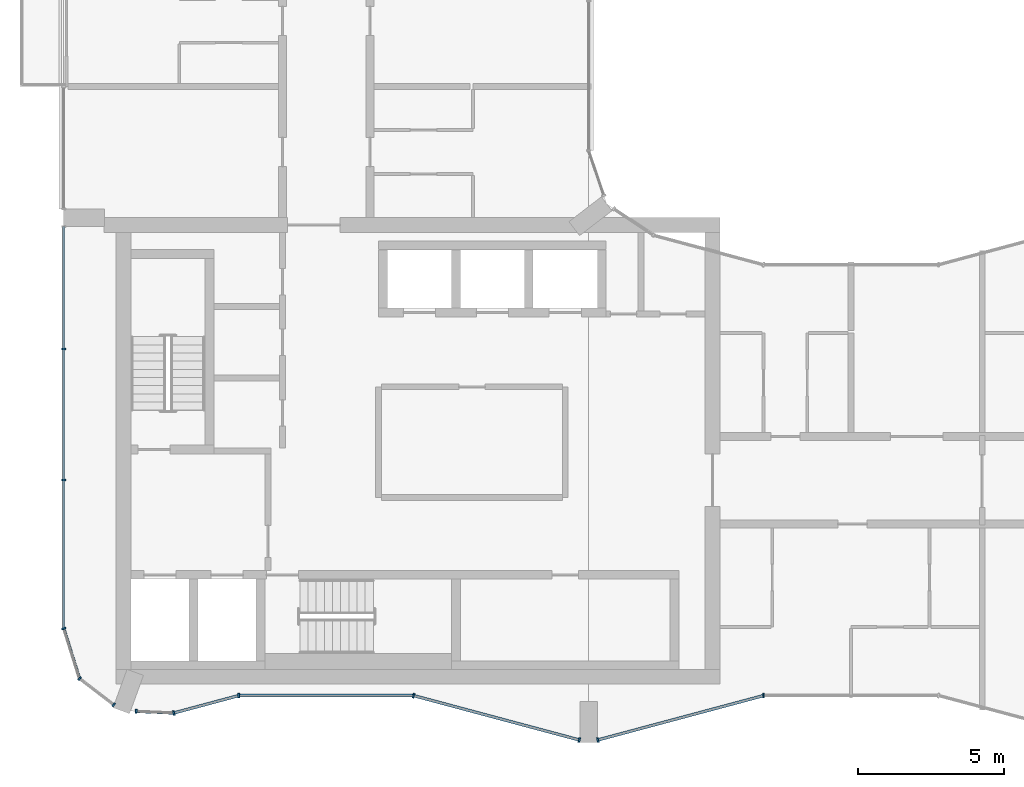
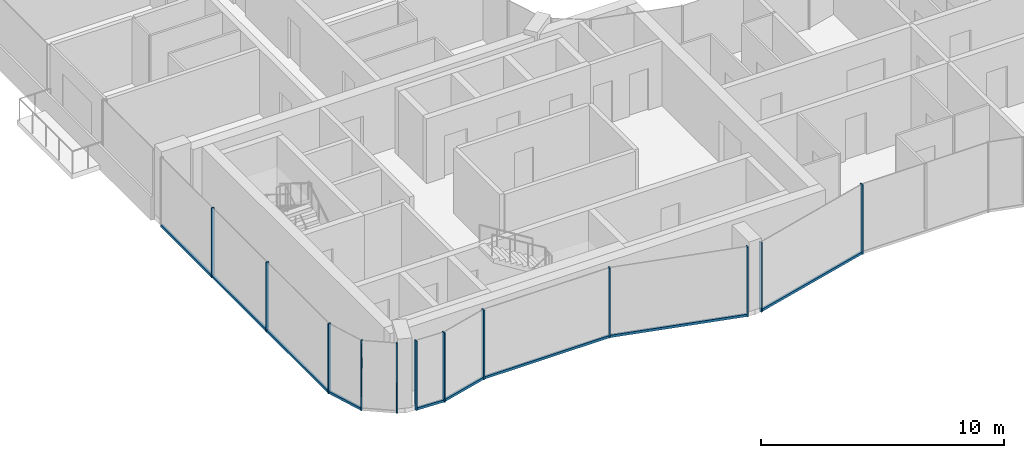
# One storey, part 2 of 16: 19 members, 9 elements without a shape of their own.
"""IFC4 building model written with IfcOpenShell, lengths in metres."""

from ifc_helpers import new_model, si_unit, direction, frame, origin, origin_2d, place, context, subcontext, project, spatial, rectangle, extrude, material, layer, layer_set, material_profile, profile_set, type_object, element, aggregate, save


model = new_model("IFC4")

# Units and contexts
model_context = context("Model", 3, precision=1e-05, world=origin(), true_north=direction((0.0, 1.0)))
body_context = subcontext(model_context, "Body", "Model", "MODEL_VIEW")
ifc_project = project(units=[si_unit("LENGTHUNIT", "METRE"), si_unit("AREAUNIT", "SQUARE_METRE"), si_unit("VOLUMEUNIT", "CUBIC_METRE"), si_unit("PLANEANGLEUNIT", "RADIAN"), si_unit("MASSUNIT", "GRAM", prefix="KILO")], contexts=[model_context])

# Site, building, storey
site_placement = place(None, origin())
site = spatial("IfcSite", under=ifc_project, at=site_placement, CompositionType="ELEMENT")
building_placement = place(site_placement, origin())
building = spatial("IfcBuilding", under=site, at=building_placement, Name="Plateau Cross Towers", CompositionType="ELEMENT")
storey_placement = place(building_placement, frame((0.0, 0.0, 218.89990234375)))
storey = spatial("IfcBuildingStorey", under=building, at=storey_placement, Name="L57", CompositionType="ELEMENT", Elevation=218.89990234375)

# Curtain wall, members
ifc_material_1 = material(Name="Dark low-iron glass", Category="glass")
ifc_layer_1 = layer(ifc_material_1, 0.239990234375)
ifc_layer_set_1 = layer_set([ifc_layer_1], Name="Dark low-iron glass")
curtain_wall_type_1 = type_object("IfcCurtainWallType", Name="Curtain wall flush unitised CW-B", PredefinedType="NOTDEFINED", material=ifc_layer_set_1)
curtain_wall_1_placement = place(storey_placement, origin())
curtain_wall_1 = element("IfcCurtainWall", 1, at=curtain_wall_1_placement, inside=storey, type_object=curtain_wall_type_1, Name="ENV/A/L57/A0_177", PredefinedType="NOTDEFINED")
ifc_material_2 = material(Name="Black anodised aluminium", Category="aluminium")
ifc_material_profile_1 = material_profile(ifc_material_2, rectangle(XDim=0.06005859375, YDim=0.139892578125, at=origin_2d()), Name="MULLION 60x140")
ifc_profile_set_1 = profile_set([ifc_material_profile_1], Name="Black anodised aluminium")
member_type_1 = type_object("IfcMemberType", Name="Mullion 60x140 flush unitised", PredefinedType="MULLION", material=ifc_profile_set_1)
member_1_placement = place(storey_placement, frame((0.0, 13.5, -0.25), z_axis=(0.0, 0.0, 1.0), x_axis=(0.0, -1.0, 0.0)))
member_1 = element("IfcMember", 2, at=member_1_placement, type_object=member_type_1, Name="CW-B mullion 2", PredefinedType="MULLION", context=body_context, shape_type="SweptSolid", body=[
    extrude(rectangle(XDim=0.06005859375, YDim=0.139892578125, at=origin_2d()), origin(), (0.0, 0.0, 1.0), 3.5),
])
member_2_placement = place(storey_placement, frame((0.0, 9.0, -0.25), z_axis=(0.0, 0.0, 1.0), x_axis=(0.0, -1.0, 0.0)))
member_2 = element("IfcMember", 3, at=member_2_placement, type_object=member_type_1, Name="CW-B mullion 3", PredefinedType="MULLION", context=body_context, shape_type="SweptSolid", body=[
    extrude(rectangle(XDim=0.06005859375, YDim=0.139892578125, at=origin_2d()), origin(), (0.0, 0.0, 1.0), 3.5),
])

# Curtain wall, member
curtain_wall_2_placement = place(storey_placement, origin())
curtain_wall_2 = element("IfcCurtainWall", 4, at=curtain_wall_2_placement, inside=storey, type_object=curtain_wall_type_1, Name="ENV/A/L57/A0_39", PredefinedType="NOTDEFINED")
member_3_placement = place(storey_placement, frame((0.0, 3.9091796875, -0.25), z_axis=(0.0, 0.0, 1.0), x_axis=(0.300686174994, -0.95372313811, 0.0)))
member_3 = element("IfcMember", 5, at=member_3_placement, type_object=member_type_1, Name="CW-B mullion 1", PredefinedType="MULLION", context=body_context, shape_type="SweptSolid", body=[
    extrude(rectangle(XDim=0.06005859375, YDim=0.139892578125, at=origin_2d()), origin(), (0.0, 0.0, 1.0), 3.5),
])

# Curtain wall, members
curtain_wall_3_placement = place(storey_placement, origin())
curtain_wall_3 = element("IfcCurtainWall", 6, at=curtain_wall_3_placement, inside=storey, type_object=curtain_wall_type_1, Name="ENV/A/L57/A5_22", PredefinedType="NOTDEFINED")
member_4_placement = place(storey_placement, frame((0.54248046875, 2.1884765625, -0.25), z_axis=(0.0, 0.0, 1.0), x_axis=(0.793315514529, -0.608810721331, 0.0)))
member_4 = element("IfcMember", 7, at=member_4_placement, type_object=member_type_1, Name="CW-B mullion 1", PredefinedType="MULLION", context=body_context, shape_type="SweptSolid", body=[
    extrude(rectangle(XDim=0.06005859375, YDim=0.139892578125, at=origin_2d()), origin(), (0.0, 0.0, 1.0), 3.5),
])
member_5_placement = place(storey_placement, frame((1.709716796875, 1.292724609375, -0.25), z_axis=(0.0, 0.0, 1.0), x_axis=(0.793315514529, -0.608810721331, 0.0)))
member_5 = element("IfcMember", 8, at=member_5_placement, type_object=member_type_1, Name="CW-B mullion 2", PredefinedType="MULLION", context=body_context, shape_type="SweptSolid", body=[
    extrude(rectangle(XDim=0.06005859375, YDim=0.139892578125, at=origin_2d()), origin(), (0.0, 0.0, 1.0), 3.5),
])
aggregate(curtain_wall_3, [member_4, member_5])

# Curtain wall, member
curtain_wall_4_placement = place(storey_placement, origin())
curtain_wall_4 = element("IfcCurtainWall", 9, at=curtain_wall_4_placement, inside=storey, type_object=curtain_wall_type_1, Name="ENV/A/L57/A25_11", PredefinedType="NOTDEFINED")
member_6_placement = place(storey_placement, frame((2.483642578125, 1.06787109375, -0.25), z_axis=(0.0, 0.0, 1.0), x_axis=(0.999043701491, -0.043722791671, 0.0)))
member_6 = element("IfcMember", 10, at=member_6_placement, type_object=member_type_1, Name="CW-B mullion 1", PredefinedType="MULLION", context=body_context, shape_type="SweptSolid", body=[
    extrude(rectangle(XDim=0.06005859375, YDim=0.139892578125, at=origin_2d()), origin(), (0.0, 0.0, 1.0), 3.5),
])

ifc_layer_2 = layer(ifc_material_1, 0.260009765625)
ifc_layer_set_2 = layer_set([ifc_layer_2], Name="Dark low-iron glass")
curtain_wall_type_2 = type_object("IfcCurtainWallType", Name="Curtain wall fluted unitised CW-A", PredefinedType="NOTDEFINED", material=ifc_layer_set_2)
curtain_wall_5_placement = place(storey_placement, origin())
curtain_wall_5 = element("IfcCurtainWall", 11, at=curtain_wall_5_placement, inside=storey, type_object=curtain_wall_type_2, Name="ENV/A/L57/A38_10", PredefinedType="NOTDEFINED")
ifc_material_profile_2 = material_profile(ifc_material_2, rectangle(XDim=0.06005859375, YDim=0.159912109375, at=origin_2d()), Name="MULLION 60x160")
ifc_profile_set_2 = profile_set([ifc_material_profile_2], Name="Black anodised aluminium")
member_type_2 = type_object("IfcMemberType", Name="Mullion 60x160 fluted unitised", PredefinedType="MULLION", material=ifc_profile_set_2)
member_7_placement = place(storey_placement, frame((3.776123046875, 1.01123046875, -0.25), z_axis=(0.0, 0.0, 1.0), x_axis=(0.965957962328, 0.258699081978, 0.0)))
member_7 = element("IfcMember", 12, at=member_7_placement, type_object=member_type_2, Name="CW-A mullion 1", PredefinedType="MULLION", context=body_context, shape_type="SweptSolid", body=[
    extrude(rectangle(XDim=0.06005859375, YDim=0.159912109375, at=origin_2d()), origin(), (0.0, 0.0, 1.0), 3.5),
])

curtain_wall_6_placement = place(storey_placement, origin())
curtain_wall_6 = element("IfcCurtainWall", 13, at=curtain_wall_6_placement, inside=storey, type_object=curtain_wall_type_2, Name="ENV/A/L57/A60_16", PredefinedType="NOTDEFINED")
member_8_placement = place(storey_placement, frame((6.0, 1.60693359375, -0.25), z_axis=(0.0, 0.0, 1.0), x_axis=(1.0, 0.0, 0.0)))
member_8 = element("IfcMember", 14, at=member_8_placement, type_object=member_type_2, Name="CW-A mullion 1", PredefinedType="MULLION", context=body_context, shape_type="SweptSolid", body=[
    extrude(rectangle(XDim=0.06005859375, YDim=0.159912109375, at=origin_2d()), origin(), (0.0, 0.0, 1.0), 3.5),
])

# Curtain wall, members
curtain_wall_7_placement = place(storey_placement, origin())
curtain_wall_7 = element("IfcCurtainWall", 15, at=curtain_wall_7_placement, inside=storey, type_object=curtain_wall_type_2, Name="ENV/A/L57/A120_16", PredefinedType="NOTDEFINED")
member_9_placement = place(storey_placement, frame((12.0, 1.60693359375, -0.25), z_axis=(0.0, 0.0, 1.0), x_axis=(0.965957983404, -0.258699003279, 0.0)))
member_9 = element("IfcMember", 16, at=member_9_placement, type_object=member_type_2, Name="CW-A mullion 1", PredefinedType="MULLION", context=body_context, shape_type="SweptSolid", body=[
    extrude(rectangle(XDim=0.06005859375, YDim=0.159912109375, at=origin_2d()), origin(), (0.0, 0.0, 1.0), 3.5),
])
member_10_placement = place(storey_placement, frame((17.68212890625, 0.085205078125, -0.25), z_axis=(0.0, 0.0, 1.0), x_axis=(0.965957983404, -0.258699003279, 0.0)))
member_10 = element("IfcMember", 17, at=member_10_placement, type_object=member_type_2, Name="CW-A mullion 2", PredefinedType="MULLION", context=body_context, shape_type="SweptSolid", body=[
    extrude(rectangle(XDim=0.06005859375, YDim=0.159912109375, at=origin_2d()), origin(), (0.0, 0.0, 1.0), 3.5),
])

# Curtain wall, member
curtain_wall_8_placement = place(storey_placement, origin())
curtain_wall_8 = element("IfcCurtainWall", 18, at=curtain_wall_8_placement, inside=storey, type_object=curtain_wall_type_2, Name="ENV/A/L57/A183_1", PredefinedType="NOTDEFINED")
member_11_placement = place(storey_placement, frame((18.31787109375, 0.085205078125, -0.25), z_axis=(0.0, 0.0, 1.0), x_axis=(0.965957983404, 0.258699003279, 0.0)))
member_11 = element("IfcMember", 19, at=member_11_placement, type_object=member_type_2, Name="CW-A mullion 1", PredefinedType="MULLION", context=body_context, shape_type="SweptSolid", body=[
    extrude(rectangle(XDim=0.06005859375, YDim=0.159912109375, at=origin_2d()), origin(), (0.0, 0.0, 1.0), 3.5),
])

curtain_wall_9_placement = place(storey_placement, origin())
curtain_wall_9 = element("IfcCurtainWall", 20, at=curtain_wall_9_placement, inside=storey, type_object=curtain_wall_type_2, Name="ENV/A/L57/A240_16", PredefinedType="NOTDEFINED")
member_12_placement = place(storey_placement, frame((24.0, 1.60693359375, -0.25), z_axis=(0.0, 0.0, 1.0), x_axis=(1.0, 0.0, 0.0)))
member_12 = element("IfcMember", 21, at=member_12_placement, type_object=member_type_2, Name="CW-A mullion 1", PredefinedType="MULLION", context=body_context, shape_type="SweptSolid", body=[
    extrude(rectangle(XDim=0.06005859375, YDim=0.159912109375, at=origin_2d()), origin(), (0.0, 0.0, 1.0), 3.5),
])
aggregate(curtain_wall_9, [member_12])

# Member
ifc_material_profile_3 = material_profile(ifc_material_2, rectangle(XDim=0.10009765625, YDim=0.1201171875, at=origin_2d()), Name="TRANSOM 100x120")
ifc_profile_set_3 = profile_set([ifc_material_profile_3], Name="Black anodised aluminium")
member_type_3 = type_object("IfcMemberType", Name="Transom 100x120 flush unitised", PredefinedType="USERDEFINED", material=ifc_profile_set_3)
member_13_placement = place(storey_placement, frame((0.0, 17.699951171875, -0.18994140625), z_axis=(0.0, -1.0, 0.0), x_axis=(1.0, 0.0, 0.0)))
member_13 = element("IfcMember", 22, at=member_13_placement, type_object=member_type_3, Name="CW-B transom", ObjectType="TRANSOM", PredefinedType="USERDEFINED", context=body_context, shape_type="SweptSolid", body=[
    extrude(rectangle(XDim=0.10009765625, YDim=0.1201171875, at=origin_2d()), origin(), (0.0, 0.0, 1.0), 13.790771484375),
])

aggregate(curtain_wall_1, [member_1, member_2, member_13])

member_14_placement = place(storey_placement, frame((0.0, 3.9091796875, -0.18994140625), z_axis=(0.30067799945, -0.953725715626, 0.0), x_axis=(0.953725715626, 0.30067799945, 0.0)))
member_14 = element("IfcMember", 23, at=member_14_placement, type_object=member_type_3, Name="CW-B transom", ObjectType="TRANSOM", PredefinedType="USERDEFINED", context=body_context, shape_type="SweptSolid", body=[
    extrude(rectangle(XDim=0.10009765625, YDim=0.1201171875, at=origin_2d()), origin(), (0.0, 0.0, 1.0), 1.80419921875),
])

aggregate(curtain_wall_2, [member_3, member_14])

member_15_placement = place(storey_placement, frame((2.483642578125, 1.06787109375, -0.18994140625), z_axis=(0.999041144614, -0.043781175963, 0.0), x_axis=(0.043781175963, 0.999041144614, 0.0)))
member_15 = element("IfcMember", 24, at=member_15_placement, type_object=member_type_3, Name="CW-B transom", ObjectType="TRANSOM", PredefinedType="USERDEFINED", context=body_context, shape_type="SweptSolid", body=[
    extrude(rectangle(XDim=0.10009765625, YDim=0.1201171875, at=origin_2d()), origin(), (0.0, 0.0, 1.0), 1.293701171875),
])

aggregate(curtain_wall_4, [member_6, member_15])

ifc_material_profile_4 = material_profile(ifc_material_2, rectangle(XDim=0.10009765625, YDim=0.1201171875, at=origin_2d()), Name="TRANSOM 100x120")
ifc_profile_set_4 = profile_set([ifc_material_profile_4], Name="Black anodised aluminium")
member_type_4 = type_object("IfcMemberType", Name="Transom 100x120 fluted unitised", PredefinedType="USERDEFINED", material=ifc_profile_set_4)
member_16_placement = place(storey_placement, frame((3.776123046875, 1.01123046875, -0.18994140625), z_axis=(0.965945685136, 0.258744919501, 0.0), x_axis=(-0.258744919501, 0.965945685136, 0.0)))
member_16 = element("IfcMember", 25, at=member_16_placement, type_object=member_type_4, Name="CW-A transom", ObjectType="TRANSOM", PredefinedType="USERDEFINED", context=body_context, shape_type="SweptSolid", body=[
    extrude(rectangle(XDim=0.10009765625, YDim=0.1201171875, at=origin_2d()), origin(), (0.0, 0.0, 1.0), 2.30224609375),
])

aggregate(curtain_wall_5, [member_7, member_16])

member_17_placement = place(storey_placement, frame((6.0, 1.60693359375, -0.18994140625), z_axis=(1.0, 0.0, 0.0), x_axis=(0.0, 1.0, 0.0)))
member_17 = element("IfcMember", 26, at=member_17_placement, type_object=member_type_4, Name="CW-A transom", ObjectType="TRANSOM", PredefinedType="USERDEFINED", context=body_context, shape_type="SweptSolid", body=[
    extrude(rectangle(XDim=0.10009765625, YDim=0.1201171875, at=origin_2d()), origin(), (0.0, 0.0, 1.0), 6.0),
])

aggregate(curtain_wall_6, [member_8, member_17])

member_18_placement = place(storey_placement, frame((12.0, 1.60693359375, -0.18994140625), z_axis=(0.965959534794, -0.258693210465, 0.0), x_axis=(0.258693210465, 0.965959534794, 0.0)))
member_18 = element("IfcMember", 27, at=member_18_placement, type_object=member_type_4, Name="CW-A transom", ObjectType="TRANSOM", PredefinedType="USERDEFINED", context=body_context, shape_type="SweptSolid", body=[
    extrude(rectangle(XDim=0.10009765625, YDim=0.1201171875, at=origin_2d()), origin(), (0.0, 0.0, 1.0), 5.88232421875),
])

aggregate(curtain_wall_7, [member_9, member_10, member_18])

member_19_placement = place(storey_placement, frame((18.31787109375, 0.085205078125, -0.18994140625), z_axis=(0.965959534794, 0.258693210465, 0.0), x_axis=(-0.258693210465, 0.965959534794, 0.0)))
member_19 = element("IfcMember", 28, at=member_19_placement, type_object=member_type_4, Name="CW-A transom", ObjectType="TRANSOM", PredefinedType="USERDEFINED", context=body_context, shape_type="SweptSolid", body=[
    extrude(rectangle(XDim=0.10009765625, YDim=0.1201171875, at=origin_2d()), origin(), (0.0, 0.0, 1.0), 5.88232421875),
])

aggregate(curtain_wall_8, [member_11, member_19])

save(model, "model.ifc")
